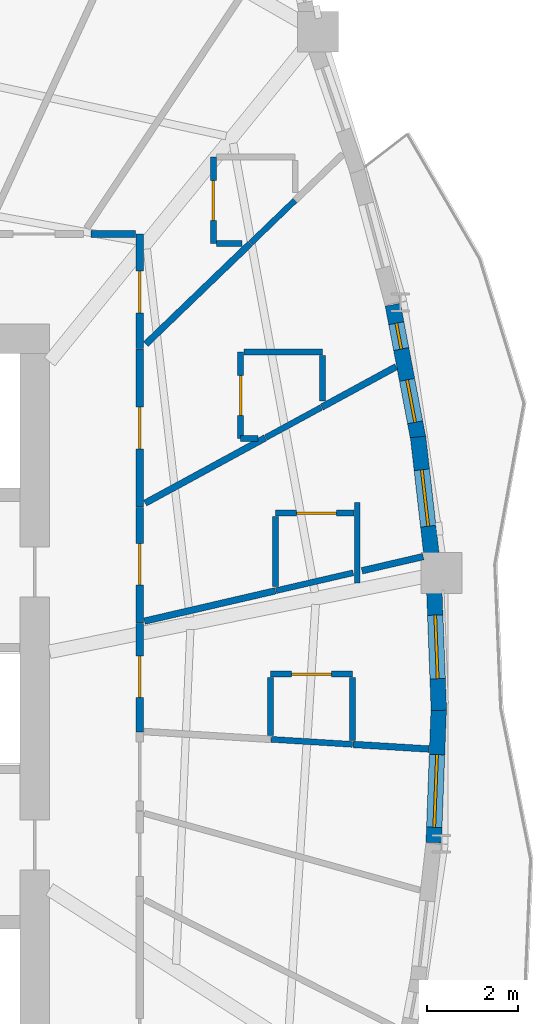
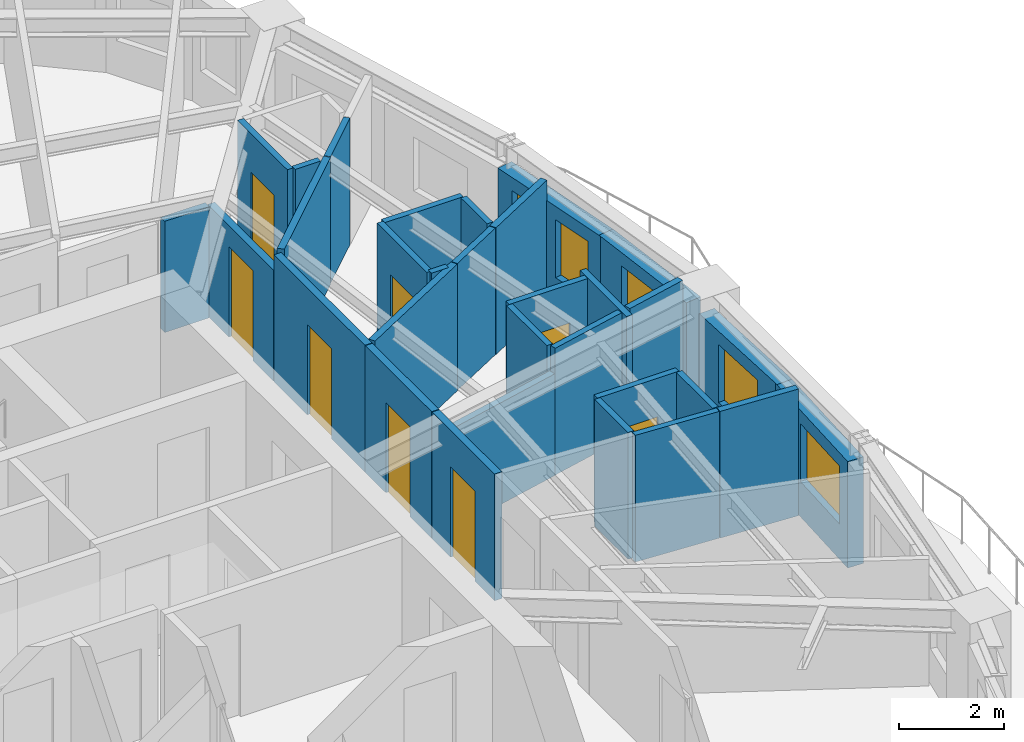
# One storey, part 10 of 17: 31 walls, 8 doors, 5 windows, 13 openings.
"""IFC4 building model written with IfcOpenShell, lengths in metres."""

from ifc_helpers import new_model, si_unit, direction, frame, frame_2d, origin, place, context, subcontext, project, spatial, rectangle, extrude, source, transform, mapped, material, layer, layer_set, type_object, element, fill, save


model = new_model("IFC4")

# Units and contexts
model_context = context("Model", 3, precision=1e-05, world=origin(), true_north=direction((0.0, 1.0)))
body_context = subcontext(model_context, "Body", "Model", "MODEL_VIEW")
ifc_project = project(units=[si_unit("LENGTHUNIT", "METRE"), si_unit("AREAUNIT", "SQUARE_METRE"), si_unit("VOLUMEUNIT", "CUBIC_METRE"), si_unit("PLANEANGLEUNIT", "RADIAN"), si_unit("MASSUNIT", "GRAM", prefix="KILO")], contexts=[model_context])

# Site, building, storey
site_placement = place(None, origin())
site = spatial("IfcSite", under=ifc_project, at=site_placement, CompositionType="ELEMENT")
building_placement = place(site_placement, origin())
building = spatial("IfcBuilding", under=site, at=building_placement, Name="Qafzar Sky-Pleat Residences", CompositionType="ELEMENT")
storey_placement = place(building_placement, frame((0.0, 0.0, 115.199951171875)))
storey = spatial("IfcBuildingStorey", under=building, at=storey_placement, Name="L34", CompositionType="ELEMENT", Elevation=115.199951171875)

# Wall, opening, door
ifc_material_1 = material(Name="Acoustic gypsum plasterboard partition", Category="gypsum")
ifc_layer_1 = layer(ifc_material_1, 0.159912109375)
ifc_layer_set_1 = layer_set([ifc_layer_1], Name="Acoustic gypsum plasterboard partition")
wall_type_1 = type_object("IfcWallType", Name="PART-COR-160", PredefinedType="PARTITIONING", material=ifc_layer_set_1)
wall_1_placement = place(storey_placement, frame((38.530029296875, 33.89892578125, 0.0), z_axis=(0.0, 0.0, 1.0), x_axis=(0.0, -1.0, 0.0)))
wall_1 = element("IfcWall", 1, at=wall_1_placement, inside=storey, type_object=wall_type_1, Name="L34 Partition Wall PART-L34-PW-007", PredefinedType="PARTITIONING", context=body_context, shape_type="SweptSolid", body=[
    extrude(rectangle(XDim=3.468994140625, YDim=0.159912109375, at=frame_2d((1.734375, 0.0))), origin(), (0.0, 0.0, 1.0), 2.949951171875),
])
opening_1_placement = place(wall_1_placement, frame((1.276611328125, 0.0, 0.0)))
opening_1 = element("IfcOpeningElement", 2, at=opening_1_placement, cuts=wall_1, Name="Opening ID-04", PredefinedType="OPENING", context=body_context, shape_type="SweptSolid", body=[
    extrude(rectangle(XDim=0.919921875, YDim=2.10009765625, at=frame_2d((0.4599609375, 1.050048828125))), frame((0.0, 0.08984375, 0.0), z_axis=(0.0, -1.0, 0.0), x_axis=(1.0, 0.0, 0.0)), (0.0, 0.0, 1.0), 0.179931640625),
])
ifc_material_2 = material(Name="Timber-faced fire door", Category="wood")
door_type_1 = type_object("IfcDoorType", Name="DR-BED-920", OperationType="NOTDEFINED", PredefinedType="DOOR", material=ifc_material_2)
shared_shape_1 = source(origin(), body_context, "Body", "SweptSolid", [
    extrude(rectangle(XDim=0.919921875, YDim=2.10009765625, at=frame_2d((0.4599609375, 1.050048828125))), frame((0.0, 0.02490234375, 0.0), z_axis=(0.0, -1.0, 0.0), x_axis=(1.0, 0.0, 0.0)), (0.0, 0.0, 1.0), 0.050048828125),
])
door_1_placement = place(opening_1_placement, origin())
door_1 = element("IfcDoor", 3, at=door_1_placement, inside=storey, type_object=door_type_1, Name="L34 Co-Living Bedroom 12 Door", OperationType="SINGLE_SWING_RIGHT", OverallHeight=2.10009765625, OverallWidth=0.919921875, PredefinedType="DOOR", context=body_context, shape_type="MappedRepresentation", body=[
    mapped(shared_shape_1, transform((0.0, 0.0, 0.0), x_axis=(1.0, 0.0, 0.0), y_axis=(0.0, 1.0, 0.0), z_axis=(0.0, 0.0, 1.0), scale=1.0)),
])
fill(opening_1, door_1)

wall_2_placement = place(storey_placement, frame((38.530029296875, 30.4150390625, 0.0), z_axis=(0.0, 0.0, 1.0), x_axis=(0.0, -1.0, 0.0)))
wall_2 = element("IfcWall", 4, at=wall_2_placement, inside=storey, type_object=wall_type_1, Name="L34 Partition Wall PART-L34-PW-011", PredefinedType="PARTITIONING", context=body_context, shape_type="SweptSolid", body=[
    extrude(rectangle(XDim=2.5361328125, YDim=0.159912109375, at=frame_2d((1.26806640625, 0.0))), origin(), (0.0, 0.0, 1.0), 2.949951171875),
])
opening_2_placement = place(wall_2_placement, frame((0.784423828125, 0.0, 0.0)))
opening_2 = element("IfcOpeningElement", 5, at=opening_2_placement, cuts=wall_2, Name="Opening ID-04", PredefinedType="OPENING", context=body_context, shape_type="SweptSolid", body=[
    extrude(rectangle(XDim=0.919921875, YDim=2.10009765625, at=frame_2d((0.4599609375, 1.050048828125))), frame((0.0, 0.08984375, 0.0), z_axis=(0.0, -1.0, 0.0), x_axis=(1.0, 0.0, 0.0)), (0.0, 0.0, 1.0), 0.179931640625),
])
door_2_placement = place(opening_2_placement, origin())
door_2 = element("IfcDoor", 6, at=door_2_placement, inside=storey, type_object=door_type_1, Name="L34 Co-Living Bedroom 9 Door", OperationType="SINGLE_SWING_LEFT", OverallHeight=2.10009765625, OverallWidth=0.919921875, PredefinedType="DOOR", context=body_context, shape_type="MappedRepresentation", body=[
    mapped(shared_shape_1, transform((0.0, 0.0, 0.0), x_axis=(1.0, 0.0, 0.0), y_axis=(0.0, 1.0, 0.0), z_axis=(0.0, 0.0, 1.0), scale=1.0)),
])
fill(opening_2, door_2)

wall_3_placement = place(storey_placement, frame((38.530029296875, 36.429931640625, 0.0), z_axis=(0.0, 0.0, 1.0), x_axis=(0.0, -1.0, 0.0)))
wall_3 = element("IfcWall", 7, at=wall_3_placement, inside=storey, type_object=wall_type_1, Name="L34 Partition Wall PART-L34-PW-012", PredefinedType="PARTITIONING", context=body_context, shape_type="SweptSolid", body=[
    extrude(rectangle(XDim=2.515869140625, YDim=0.159912109375, at=frame_2d((1.2578125, 0.0))), origin(), (0.0, 0.0, 1.0), 2.588134765625),
])
opening_3_placement = place(wall_3_placement, frame((0.81591796875, 0.0, 0.0)))
opening_3 = element("IfcOpeningElement", 8, at=opening_3_placement, cuts=wall_3, Name="Opening ID-04", PredefinedType="OPENING", context=body_context, shape_type="SweptSolid", body=[
    extrude(rectangle(XDim=0.919921875, YDim=2.10009765625, at=frame_2d((0.4599609375, 1.050048828125))), frame((0.0, 0.08984375, 0.0), z_axis=(0.0, -1.0, 0.0), x_axis=(1.0, 0.0, 0.0)), (0.0, 0.0, 1.0), 0.179931640625),
])
door_3_placement = place(opening_3_placement, origin())
door_3 = element("IfcDoor", 9, at=door_3_placement, inside=storey, type_object=door_type_1, Name="L34 Co-Living Bedroom 11 Door", OperationType="SINGLE_SWING_RIGHT", OverallHeight=2.10009765625, OverallWidth=0.919921875, PredefinedType="DOOR", context=body_context, shape_type="MappedRepresentation", body=[
    mapped(shared_shape_1, transform((0.0, 0.0, 0.0), x_axis=(1.0, 0.0, 0.0), y_axis=(0.0, 1.0, 0.0), z_axis=(0.0, 0.0, 1.0), scale=1.0)),
])
fill(opening_3, door_3)

wall_4_placement = place(storey_placement, frame((38.530029296875, 27.864013671875, 0.0), z_axis=(0.0, 0.0, 1.0), x_axis=(0.0, -1.0, 0.0)))
wall_4 = element("IfcWall", 10, at=wall_4_placement, inside=storey, type_object=wall_type_1, Name="L34 Partition Wall PART-L34-PW-014", PredefinedType="PARTITIONING", context=body_context, shape_type="SweptSolid", body=[
    extrude(rectangle(XDim=2.381103515625, YDim=0.159912109375, at=frame_2d((1.1904296875, 0.0))), origin(), (0.0, 0.0, 1.0), 2.949951171875),
])
opening_4_placement = place(wall_4_placement, frame((0.7080078125, 0.0, 0.0)))
opening_4 = element("IfcOpeningElement", 11, at=opening_4_placement, cuts=wall_4, Name="Opening ID-04", PredefinedType="OPENING", context=body_context, shape_type="SweptSolid", body=[
    extrude(rectangle(XDim=0.919921875, YDim=2.10009765625, at=frame_2d((0.4599609375, 1.050048828125))), frame((0.0, 0.08984375, 0.0), z_axis=(0.0, -1.0, 0.0), x_axis=(1.0, 0.0, 0.0)), (0.0, 0.0, 1.0), 0.179931640625),
])
door_4_placement = place(opening_4_placement, origin())
door_4 = element("IfcDoor", 12, at=door_4_placement, inside=storey, type_object=door_type_1, Name="L34 Co-Living Bedroom 10 Door", OperationType="SINGLE_SWING_RIGHT", OverallHeight=2.10009765625, OverallWidth=0.919921875, PredefinedType="DOOR", context=body_context, shape_type="MappedRepresentation", body=[
    mapped(shared_shape_1, transform((0.0, 0.0, 0.0), x_axis=(1.0, 0.0, 0.0), y_axis=(0.0, 1.0, 0.0), z_axis=(0.0, 0.0, 1.0), scale=1.0)),
])
fill(opening_4, door_4)

# Walls
wall_5_placement = place(storey_placement, frame((37.463134765625, 36.429931640625, 0.0), z_axis=(0.0, 0.0, 1.0), x_axis=(1.0, 0.0, 0.0)))
element("IfcWall", 13, at=wall_5_placement, inside=storey, type_object=wall_type_1, Name="L34 Partition Wall PART-L34-PW-081", PredefinedType="PARTITIONING", context=body_context, shape_type="SweptSolid", body=[
    extrude(rectangle(XDim=0.978759765625, YDim=0.159912109375, at=frame_2d((0.4892578125, 0.0))), origin(), (0.0, 0.0, 1.0), 2.588134765625),
])
ifc_layer_2 = layer(ifc_material_1, 0.14501953125)
ifc_layer_set_2 = layer_set([ifc_layer_2], Name="Acoustic gypsum plasterboard partition")
wall_type_2 = type_object("IfcWallType", Name="PART-UNIT-145", PredefinedType="PARTITIONING", material=ifc_layer_set_2)
wall_6_placement = place(storey_placement, frame((38.666015625, 34.009033203125, 0.0), z_axis=(0.0, 0.0, 1.0), x_axis=(0.72031454127, 0.693647577402, 0.0)))
element("IfcWall", 14, at=wall_6_placement, inside=storey, type_object=wall_type_2, Name="L34 Partition Wall PART-L34-PW-047", PredefinedType="PARTITIONING", context=body_context, shape_type="SweptSolid", body=[
    extrude(rectangle(XDim=3.18603515625, YDim=0.14501953125, at=frame_2d((1.593017578125, 0.0))), origin(), (0.0, 0.0, 1.0), 2.949951171875),
])
wall_7_placement = place(storey_placement, frame((38.651611328125, 30.51318359375, 0.0), z_axis=(0.0, 0.0, 1.0), x_axis=(0.878637115469, 0.47749012484, 0.0)))
element("IfcWall", 15, at=wall_7_placement, inside=storey, type_object=wall_type_2, Name="L34 Partition Wall PART-L34-PW-048", PredefinedType="PARTITIONING", context=body_context, shape_type="SweptSolid", body=[
    extrude(rectangle(XDim=3.0029296875, YDim=0.14501953125, at=frame_2d((1.50146484375, 0.0))), origin(), (0.0, 0.0, 1.0), 2.949951171875),
])
wall_8_placement = place(storey_placement, frame((38.63427734375, 27.918212890625, 0.0), z_axis=(0.0, 0.0, 1.0), x_axis=(0.974209851619, 0.225643889812, 0.0)))
element("IfcWall", 16, at=wall_8_placement, inside=storey, type_object=wall_type_2, Name="L34 Partition Wall PART-L34-PW-049", PredefinedType="PARTITIONING", context=body_context, shape_type="SweptSolid", body=[
    extrude(rectangle(XDim=2.954833984375, YDim=0.14501953125, at=frame_2d((1.4775390625, 0.0))), origin(), (0.0, 0.0, 1.0), 2.3681640625),
])
wall_9_placement = place(storey_placement, frame((42.534912109375, 32.6240234375, 0.0), z_axis=(0.0, 0.0, 1.0), x_axis=(0.878631690287, 0.477500107669, 0.0)))
element("IfcWall", 17, at=wall_9_placement, inside=storey, type_object=wall_type_2, Name="L34 Partition Wall PART-L34-PW-057", PredefinedType="PARTITIONING", context=body_context, shape_type="SweptSolid", body=[
    extrude(rectangle(XDim=1.860595703125, YDim=0.14501953125, at=frame_2d((0.93017578125, 0.0))), origin(), (0.0, 0.0, 1.0), 2.949951171875),
])
wall_10_placement = place(storey_placement, frame((43.221923828125, 25.208984375, 0.0), z_axis=(0.0, 0.0, 1.0), x_axis=(0.99814842403, -0.060825353328, 0.0)))
element("IfcWall", 18, at=wall_10_placement, inside=storey, type_object=wall_type_2, Name="L34 Partition Wall PART-L34-PW-067", PredefinedType="PARTITIONING", context=body_context, shape_type="SweptSolid", body=[
    extrude(rectangle(XDim=1.673828125, YDim=0.14501953125, at=frame_2d((0.8369140625, 0.0))), origin(), (0.0, 0.0, 1.0), 2.949951171875),
])
wall_11_placement = place(storey_placement, frame((43.416748046875, 29.026123046875, 0.0), z_axis=(0.0, 0.0, 1.0), x_axis=(0.974194367241, 0.225710732657, 0.0)))
element("IfcWall", 19, at=wall_11_placement, inside=storey, type_object=wall_type_2, Name="L34 Partition Wall PART-L34-PW-072", PredefinedType="PARTITIONING", context=body_context, shape_type="SweptSolid", body=[
    extrude(rectangle(XDim=1.38232421875, YDim=0.14501953125, at=frame_2d((0.691162109375, 0.0))), origin(), (0.0, 0.0, 1.0), 2.949951171875),
])

# Wall, opening, door
ifc_material_3 = material(Name="Moisture-resistant gypsum partition", Category="gypsum")
ifc_layer_3 = layer(ifc_material_3, 0.1298828125)
ifc_layer_set_3 = layer_set([ifc_layer_3], Name="Moisture-resistant gypsum partition")
wall_type_3 = type_object("IfcWallType", Name="PART-WET-130", PredefinedType="PARTITIONING", material=ifc_layer_set_3)
wall_12_placement = place(storey_placement, frame((40.75, 33.83203125, 0.0), z_axis=(0.0, 0.0, 1.0), x_axis=(0.0, -1.0, 0.0)))
wall_12 = element("IfcWall", 20, at=wall_12_placement, inside=storey, type_object=wall_type_3, Name="L34 Partition Wall PART-L34-PW-019", PredefinedType="PARTITIONING", context=body_context, shape_type="SweptSolid", body=[
    extrude(rectangle(XDim=1.900146484375, YDim=0.1298828125, at=frame_2d((0.9501953125, 0.0))), origin(), (0.0, 0.0, 1.0), 2.949951171875),
])
opening_5_placement = place(wall_12_placement, frame((0.510009765625, 0.0, 0.0)))
opening_5 = element("IfcOpeningElement", 21, at=opening_5_placement, cuts=wall_12, Name="Opening ID-07", PredefinedType="OPENING", context=body_context, shape_type="SweptSolid", body=[
    extrude(rectangle(XDim=0.8798828125, YDim=2.050048828125, at=frame_2d((0.43994140625, 1.02490234375))), frame((0.0, 0.074951171875, 0.0), z_axis=(0.0, -1.0, 0.0), x_axis=(1.0, 0.0, 0.0)), (0.0, 0.0, 1.0), 0.14990234375),
])
door_type_2 = type_object("IfcDoorType", Name="DR-WET-880", OperationType="NOTDEFINED", PredefinedType="DOOR", material=ifc_material_2)
shared_shape_2 = source(origin(), body_context, "Body", "SweptSolid", [
    extrude(rectangle(XDim=0.8798828125, YDim=2.050048828125, at=frame_2d((0.43994140625, 1.02490234375))), frame((0.0, 0.02490234375, 0.0), z_axis=(0.0, -1.0, 0.0), x_axis=(1.0, 0.0, 0.0)), (0.0, 0.0, 1.0), 0.050048828125),
])
door_5_placement = place(opening_5_placement, origin())
door_5 = element("IfcDoor", 22, at=door_5_placement, inside=storey, type_object=door_type_2, Name="L34 En-suite Bathroom 12 Door", OperationType="SINGLE_SWING_RIGHT", OverallHeight=2.050048828125, OverallWidth=0.8798828125, PredefinedType="DOOR", context=body_context, shape_type="MappedRepresentation", body=[
    mapped(shared_shape_2, transform((0.0, 0.0, 0.0), x_axis=(1.0, 0.0, 0.0), y_axis=(0.0, 1.0, 0.0), z_axis=(0.0, 0.0, 1.0), scale=1.0)),
])
fill(opening_5, door_5)

wall_13_placement = place(storey_placement, frame((40.15087890625, 38.118896484375, 0.0), z_axis=(0.0, 0.0, 1.0), x_axis=(0.0, -1.0, 0.0)))
wall_13 = element("IfcWall", 23, at=wall_13_placement, inside=storey, type_object=wall_type_3, Name="L34 Partition Wall PART-L34-PW-024", PredefinedType="PARTITIONING", context=body_context, shape_type="SweptSolid", body=[
    extrude(rectangle(XDim=1.89990234375, YDim=0.1298828125, at=frame_2d((0.949951171875, 0.0))), origin(), (0.0, 0.0, 1.0), 2.949951171875),
])
opening_6_placement = place(wall_13_placement, frame((0.510009765625, 0.0, 0.0)))
opening_6 = element("IfcOpeningElement", 24, at=opening_6_placement, cuts=wall_13, Name="Opening ID-07", PredefinedType="OPENING", context=body_context, shape_type="SweptSolid", body=[
    extrude(rectangle(XDim=0.8798828125, YDim=2.050048828125, at=frame_2d((0.43994140625, 1.02490234375))), frame((0.0, 0.074951171875, 0.0), z_axis=(0.0, -1.0, 0.0), x_axis=(1.0, 0.0, 0.0)), (0.0, 0.0, 1.0), 0.14990234375),
])
door_6_placement = place(opening_6_placement, origin())
door_6 = element("IfcDoor", 25, at=door_6_placement, inside=storey, type_object=door_type_2, Name="L34 En-suite Bathroom 11 Door", OperationType="SINGLE_SWING_LEFT", OverallHeight=2.050048828125, OverallWidth=0.8798828125, PredefinedType="DOOR", context=body_context, shape_type="MappedRepresentation", body=[
    mapped(shared_shape_2, transform((0.0, 0.0, 0.0), x_axis=(1.0, 0.0, 0.0), y_axis=(0.0, 1.0, 0.0), z_axis=(0.0, 0.0, 1.0), scale=1.0)),
])
fill(opening_6, door_6)

wall_14_placement = place(storey_placement, frame((43.239990234375, 30.2919921875, 0.0), z_axis=(0.0, 0.0, 1.0), x_axis=(-1.0, 0.0, 0.0)))
wall_14 = element("IfcWall", 26, at=wall_14_placement, inside=storey, type_object=wall_type_3, Name="L34 Partition Wall PART-L34-PW-026", PredefinedType="PARTITIONING", context=body_context, shape_type="SweptSolid", body=[
    extrude(rectangle(XDim=1.72705078125, YDim=0.1298828125, at=frame_2d((0.863525390625, 0.0))), origin(), (0.0, 0.0, 1.0), 2.949951171875),
])
opening_7_placement = place(wall_14_placement, frame((0.386962890625, 0.0, 0.0)))
opening_7 = element("IfcOpeningElement", 27, at=opening_7_placement, cuts=wall_14, Name="Opening ID-07", PredefinedType="OPENING", context=body_context, shape_type="SweptSolid", body=[
    extrude(rectangle(XDim=0.8798828125, YDim=2.050048828125, at=frame_2d((0.43994140625, 1.02490234375))), frame((0.0, 0.074951171875, 0.0), z_axis=(0.0, -1.0, 0.0), x_axis=(1.0, 0.0, 0.0)), (0.0, 0.0, 1.0), 0.14990234375),
])
door_7_placement = place(opening_7_placement, origin())
door_7 = element("IfcDoor", 28, at=door_7_placement, inside=storey, type_object=door_type_2, Name="L34 En-suite Bathroom 9 Door", OperationType="SINGLE_SWING_LEFT", OverallHeight=2.050048828125, OverallWidth=0.8798828125, PredefinedType="DOOR", context=body_context, shape_type="MappedRepresentation", body=[
    mapped(shared_shape_2, transform((0.0, 0.0, 0.0), x_axis=(1.0, 0.0, 0.0), y_axis=(0.0, 1.0, 0.0), z_axis=(0.0, 0.0, 1.0), scale=1.0)),
])
fill(opening_7, door_7)

wall_15_placement = place(storey_placement, frame((43.20703125, 26.7529296875, 0.0), z_axis=(0.0, 0.0, 1.0), x_axis=(-1.0, 0.0, 0.0)))
wall_15 = element("IfcWall", 29, at=wall_15_placement, inside=storey, type_object=wall_type_3, Name="L34 Partition Wall PART-L34-PW-027", PredefinedType="PARTITIONING", context=body_context, shape_type="SweptSolid", body=[
    extrude(rectangle(XDim=1.800048828125, YDim=0.1298828125, at=frame_2d((0.89990234375, 0.0))), origin(), (0.0, 0.0, 1.0), 2.949951171875),
])
opening_8_placement = place(wall_15_placement, frame((0.4599609375, 0.0, 0.0)))
opening_8 = element("IfcOpeningElement", 30, at=opening_8_placement, cuts=wall_15, Name="Opening ID-07", PredefinedType="OPENING", context=body_context, shape_type="SweptSolid", body=[
    extrude(rectangle(XDim=0.8798828125, YDim=2.050048828125, at=frame_2d((0.43994140625, 1.02490234375))), frame((0.0, 0.074951171875, 0.0), z_axis=(0.0, -1.0, 0.0), x_axis=(1.0, 0.0, 0.0)), (0.0, 0.0, 1.0), 0.14990234375),
])
door_8_placement = place(opening_8_placement, origin())
door_8 = element("IfcDoor", 31, at=door_8_placement, inside=storey, type_object=door_type_2, Name="L34 En-suite Bathroom 10 Door", OperationType="SINGLE_SWING_RIGHT", OverallHeight=2.050048828125, OverallWidth=0.8798828125, PredefinedType="DOOR", context=body_context, shape_type="MappedRepresentation", body=[
    mapped(shared_shape_2, transform((0.0, 0.0, 0.0), x_axis=(1.0, 0.0, 0.0), y_axis=(0.0, 1.0, 0.0), z_axis=(0.0, 0.0, 1.0), scale=1.0)),
])
fill(opening_8, door_8)

# Walls
wall_16_placement = place(storey_placement, frame((41.527587890625, 28.58837890625, 0.0), z_axis=(0.0, 0.0, 1.0), x_axis=(0.974206728247, 0.225657374437, 0.0)))
element("IfcWall", 32, at=wall_16_placement, inside=storey, type_object=wall_type_3, Name="L34 Partition Wall PART-L34-PW-058", PredefinedType="PARTITIONING", context=body_context, shape_type="SweptSolid", body=[
    extrude(rectangle(XDim=1.742919921875, YDim=0.1298828125, at=frame_2d((0.87158203125, 0.0))), origin(), (0.0, 0.0, 1.0), 2.949951171875),
])
wall_17_placement = place(storey_placement, frame((40.822998046875, 33.83203125, 0.0), z_axis=(0.0, 0.0, 1.0), x_axis=(1.0, 0.0, 0.0)))
element("IfcWall", 33, at=wall_17_placement, inside=storey, type_object=wall_type_3, Name="L34 Partition Wall PART-L34-PW-062", PredefinedType="PARTITIONING", context=body_context, shape_type="SweptSolid", body=[
    extrude(rectangle(XDim=1.72705078125, YDim=0.1298828125, at=frame_2d((0.863525390625, 0.0))), origin(), (0.0, 0.0, 1.0), 2.949951171875),
])
wall_18_placement = place(storey_placement, frame((41.422119140625, 25.320068359375, 0.0), z_axis=(0.0, 0.0, 1.0), x_axis=(0.998102716713, -0.061570828237, 0.0)))
element("IfcWall", 34, at=wall_18_placement, inside=storey, type_object=wall_type_3, Name="L34 Partition Wall PART-L34-PW-063", PredefinedType="PARTITIONING", context=body_context, shape_type="SweptSolid", body=[
    extrude(rectangle(XDim=1.788330078125, YDim=0.1298828125, at=frame_2d((0.89404296875, 0.0))), origin(), (0.0, 0.0, 1.0), 2.949951171875),
])
wall_19_placement = place(storey_placement, frame((41.512939453125, 28.6826171875, 0.0), z_axis=(0.0, 0.0, 1.0), x_axis=(0.0, 1.0, 0.0)))
element("IfcWall", 35, at=wall_19_placement, inside=storey, type_object=wall_type_3, Name="L34 Partition Wall PART-L34-PW-066", PredefinedType="PARTITIONING", context=body_context, shape_type="SweptSolid", body=[
    extrude(rectangle(XDim=1.536376953125, YDim=0.1298828125, at=frame_2d((0.76806640625, 0.0))), origin(), (0.0, 0.0, 1.0), 2.949951171875),
])
wall_20_placement = place(storey_placement, frame((43.20703125, 25.294677734375, 0.0), z_axis=(0.0, 0.0, 1.0), x_axis=(0.0, 1.0, 0.0)))
element("IfcWall", 36, at=wall_20_placement, inside=storey, type_object=wall_type_3, Name="L34 Partition Wall PART-L34-PW-071", PredefinedType="PARTITIONING", context=body_context, shape_type="SweptSolid", body=[
    extrude(rectangle(XDim=1.38525390625, YDim=0.1298828125, at=frame_2d((0.692626953125, 0.0))), origin(), (0.0, 0.0, 1.0), 2.949951171875),
])
wall_21_placement = place(storey_placement, frame((41.406982421875, 25.405517578125, 0.0), z_axis=(0.0, 0.0, 1.0), x_axis=(0.0, 1.0, 0.0)))
element("IfcWall", 37, at=wall_21_placement, inside=storey, type_object=wall_type_3, Name="L34 Partition Wall PART-L34-PW-074", PredefinedType="PARTITIONING", context=body_context, shape_type="SweptSolid", body=[
    extrude(rectangle(XDim=1.2744140625, YDim=0.1298828125, at=frame_2d((0.63720703125, 0.0))), origin(), (0.0, 0.0, 1.0), 2.949951171875),
])
wall_22_placement = place(storey_placement, frame((41.30322265625, 31.9541015625, 0.0), z_axis=(0.0, 0.0, 1.0), x_axis=(0.87855387187, 0.477643270885, 0.0)))
element("IfcWall", 38, at=wall_22_placement, inside=storey, type_object=wall_type_3, Name="L34 Partition Wall PART-L34-PW-075", PredefinedType="PARTITIONING", context=body_context, shape_type="SweptSolid", body=[
    extrude(rectangle(XDim=1.38720703125, YDim=0.1298828125, at=frame_2d((0.693603515625, 0.0))), origin(), (0.0, 0.0, 1.0), 2.949951171875),
])
wall_23_placement = place(storey_placement, frame((40.9716796875, 36.2294921875, 0.0), z_axis=(0.0, 0.0, 1.0), x_axis=(0.72014550452, 0.693823069896, 0.0)))
element("IfcWall", 39, at=wall_23_placement, inside=storey, type_object=wall_type_3, Name="L34 Partition Wall PART-L34-PW-077", PredefinedType="PARTITIONING", context=body_context, shape_type="SweptSolid", body=[
    extrude(rectangle(XDim=1.344970703125, YDim=0.1298828125, at=frame_2d((0.67236328125, 0.0))), origin(), (0.0, 0.0, 1.0), 2.949951171875),
])
wall_24_placement = place(storey_placement, frame((43.31298828125, 28.761962890625, 0.0), z_axis=(0.0, 0.0, 1.0), x_axis=(0.0, 1.0, 0.0)))
element("IfcWall", 40, at=wall_24_placement, inside=storey, type_object=wall_type_3, Name="L34 Partition Wall PART-L34-PW-079", PredefinedType="PARTITIONING", context=body_context, shape_type="SweptSolid", body=[
    extrude(rectangle(XDim=1.77001953125, YDim=0.1298828125, at=frame_2d((0.885009765625, 0.0))), origin(), (0.0, 0.0, 1.0), 2.949951171875),
])
wall_25_placement = place(storey_placement, frame((42.550048828125, 32.7578125, 0.0), z_axis=(0.0, 0.0, 1.0), x_axis=(0.0, 1.0, 0.0)))
element("IfcWall", 41, at=wall_25_placement, inside=storey, type_object=wall_type_3, Name="L34 Partition Wall PART-L34-PW-082", PredefinedType="PARTITIONING", context=body_context, shape_type="SweptSolid", body=[
    extrude(rectangle(XDim=1.001220703125, YDim=0.1298828125, at=frame_2d((0.50048828125, 0.0))), origin(), (0.0, 0.0, 1.0), 2.949951171875),
])
wall_26_placement = place(storey_placement, frame((40.22412109375, 36.218994140625, 0.0), z_axis=(0.0, 0.0, 1.0), x_axis=(1.0, 0.0, 0.0)))
element("IfcWall", 42, at=wall_26_placement, inside=storey, type_object=wall_type_3, Name="L34 Partition Wall PART-L34-PW-088", PredefinedType="PARTITIONING", context=body_context, shape_type="SweptSolid", body=[
    extrude(rectangle(XDim=0.556884765625, YDim=0.1298828125, at=frame_2d((0.2783203125, 0.0))), origin(), (0.0, 0.0, 1.0), 2.949951171875),
])
wall_27_placement = place(storey_placement, frame((40.75, 31.931884765625, 0.0), z_axis=(0.0, 0.0, 1.0), x_axis=(1.0, 0.0, 0.0)))
element("IfcWall", 43, at=wall_27_placement, inside=storey, type_object=wall_type_3, Name="L34 Partition Wall PART-L34-PW-091", PredefinedType="PARTITIONING", context=body_context, shape_type="SweptSolid", body=[
    extrude(rectangle(XDim=0.376953125, YDim=0.1298828125, at=frame_2d((0.1884765625, 0.0))), origin(), (0.0, 0.0, 1.0), 2.949951171875),
])

# Wall, opening, window
ifc_material_4 = material(Name="Precast concrete C40/50 with honed Riyadh limestone", Category="concrete")
ifc_layer_4 = layer(ifc_material_4, 0.340087890625)
ifc_layer_set_4 = layer_set([ifc_layer_4], Name="Precast concrete C40/50 with honed Riyadh limestone")
wall_type_4 = type_object("IfcWallType", Name="WALL-EXT-340", PredefinedType="SOLIDWALL", material=ifc_layer_set_4)
wall_28_placement = place(storey_placement, frame((44.994140625, 23.05126953125, 0.0), z_axis=(0.0, 0.0, 1.0), x_axis=(0.037982360438, 0.999278409802, 0.0)))
wall_28 = element("IfcWall", 44, at=wall_28_placement, inside=storey, type_object=wall_type_4, Name="L34 Limestone Facade Wall 27", PredefinedType="SOLIDWALL", context=body_context, shape_type="SweptSolid", body=[
    extrude(rectangle(XDim=2.995361328125, YDim=0.340087890625, at=frame_2d((1.49755859375, 0.0))), origin(), (0.0, 0.0, 1.0), 2.47998046875),
])
opening_9_placement = place(wall_28_placement, frame((0.3349609375, 0.0, 0.820068359375)))
opening_9 = element("IfcOpeningElement", 45, at=opening_9_placement, cuts=wall_28, Name="Opening WN-09", PredefinedType="OPENING", context=body_context, shape_type="SweptSolid", body=[
    extrude(rectangle(XDim=1.60009765625, YDim=1.35009765625, at=frame_2d((0.800048828125, 0.675048828125))), frame((0.0, 0.18017578125, 0.0), z_axis=(0.0, -1.0, 0.0), x_axis=(1.0, 0.0, 0.0)), (0.0, 0.0, 1.0), 0.360107421875),
])
ifc_material_5 = material(Name="Solar-control low-E glass in bronze aluminium frame", Category="glass")
window_type_1 = type_object("IfcWindowType", Name="WIN-09", PartitioningType="DOUBLE_PANEL_VERTICAL", PredefinedType="WINDOW", material=ifc_material_5)
shared_shape_3 = source(origin(), body_context, "Body", "SweptSolid", [
    extrude(rectangle(XDim=1.60009765625, YDim=1.35009765625, at=frame_2d((0.800048828125, 0.675048828125))), frame((0.0, 0.030029296875, 0.0), z_axis=(0.0, -1.0, 0.0), x_axis=(1.0, 0.0, 0.0)), (0.0, 0.0, 1.0), 0.06005859375),
])
window_1_placement = place(opening_9_placement, origin())
window_1 = element("IfcWindow", 46, at=window_1_placement, inside=storey, type_object=window_type_1, Name="L34 Punched Facade Window 27", OverallHeight=1.35009765625, OverallWidth=1.60009765625, PartitioningType="SINGLE_PANEL", PredefinedType="WINDOW", context=body_context, shape_type="MappedRepresentation", body=[
    mapped(shared_shape_3, transform((0.0, 0.0, 0.0), x_axis=(1.0, 0.0, 0.0), y_axis=(0.0, 1.0, 0.0), z_axis=(0.0, 0.0, 1.0), scale=1.0)),
])
fill(opening_9, window_1)

wall_29_placement = place(storey_placement, frame((45.10791015625, 25.95556640625, 0.0), z_axis=(0.0, 0.0, 1.0), x_axis=(-0.037955087732, 0.999279446059, 0.0)))
wall_29 = element("IfcWall", 47, at=wall_29_placement, inside=storey, type_object=wall_type_4, Name="L34 Limestone Facade Wall 28", PredefinedType="SOLIDWALL", context=body_context, shape_type="SweptSolid", body=[
    extrude(rectangle(XDim=2.78515625, YDim=0.340087890625, at=frame_2d((1.392578125, 0.0))), origin(), (0.0, 0.0, 1.0), 2.47998046875),
])
opening_10_placement = place(wall_29_placement, frame((0.697509765625, 0.0, 0.820068359375)))
opening_10 = element("IfcOpeningElement", 48, at=opening_10_placement, cuts=wall_29, Name="Opening WN-10", PredefinedType="OPENING", context=body_context, shape_type="SweptSolid", body=[
    extrude(rectangle(XDim=1.39990234375, YDim=1.35009765625, at=frame_2d((0.699951171875, 0.675048828125))), frame((0.0, 0.18017578125, 0.0), z_axis=(0.0, -1.0, 0.0), x_axis=(1.0, 0.0, 0.0)), (0.0, 0.0, 1.0), 0.360107421875),
])
window_type_2 = type_object("IfcWindowType", Name="WIN-10", PartitioningType="SINGLE_PANEL", PredefinedType="WINDOW", material=ifc_material_5)
shared_shape_4 = source(origin(), body_context, "Body", "SweptSolid", [
    extrude(rectangle(XDim=1.39990234375, YDim=1.35009765625, at=frame_2d((0.699951171875, 0.675048828125))), frame((0.0, 0.030029296875, 0.0), z_axis=(0.0, -1.0, 0.0), x_axis=(1.0, 0.0, 0.0)), (0.0, 0.0, 1.0), 0.06005859375),
])
window_2_placement = place(opening_10_placement, origin())
window_2 = element("IfcWindow", 49, at=window_2_placement, inside=storey, type_object=window_type_2, Name="L34 Punched Facade Window 28", OverallHeight=1.35009765625, OverallWidth=1.39990234375, PartitioningType="SINGLE_PANEL", PredefinedType="WINDOW", context=body_context, shape_type="MappedRepresentation", body=[
    mapped(shared_shape_4, transform((0.0, 0.0, 0.0), x_axis=(1.0, 0.0, 0.0), y_axis=(0.0, 1.0, 0.0), z_axis=(0.0, 0.0, 1.0), scale=1.0)),
])
fill(opening_10, window_2)

wall_30_placement = place(storey_placement, frame((44.96826171875, 29.184326171875, 0.0), z_axis=(0.0, 0.0, 1.0), x_axis=(-0.113251751131, 0.993566324342, 0.0)))
wall_30 = element("IfcWall", 50, at=wall_30_placement, inside=storey, type_object=wall_type_4, Name="L34 Limestone Facade Wall 29", PredefinedType="SOLIDWALL", context=body_context, shape_type="SweptSolid", body=[
    extrude(rectangle(XDim=2.802490234375, YDim=0.340087890625, at=frame_2d((1.4013671875, 0.0))), origin(), (0.0, 0.0, 1.0), 2.47998046875),
])
opening_11_placement = place(wall_30_placement, frame((0.82568359375, 0.0, 0.820068359375)))
opening_11 = element("IfcOpeningElement", 51, at=opening_11_placement, cuts=wall_30, Name="Opening WN-11", PredefinedType="OPENING", context=body_context, shape_type="SweptSolid", body=[
    extrude(rectangle(XDim=1.25, YDim=1.35009765625, at=frame_2d((0.625, 0.675048828125))), frame((0.0, 0.18017578125, 0.0), z_axis=(0.0, -1.0, 0.0), x_axis=(1.0, 0.0, 0.0)), (0.0, 0.0, 1.0), 0.360107421875),
])
window_type_3 = type_object("IfcWindowType", Name="WIN-11", PartitioningType="SINGLE_PANEL", PredefinedType="WINDOW", material=ifc_material_5)
shared_shape_5 = source(origin(), body_context, "Body", "SweptSolid", [
    extrude(rectangle(XDim=1.25, YDim=1.35009765625, at=frame_2d((0.625, 0.675048828125))), frame((0.0, 0.030029296875, 0.0), z_axis=(0.0, -1.0, 0.0), x_axis=(1.0, 0.0, 0.0)), (0.0, 0.0, 1.0), 0.06005859375),
])
window_3_placement = place(opening_11_placement, origin())
window_3 = element("IfcWindow", 52, at=window_3_placement, inside=storey, type_object=window_type_3, Name="L34 Punched Facade Window 29", OverallHeight=1.35009765625, OverallWidth=1.25, PartitioningType="SINGLE_PANEL", PredefinedType="WINDOW", context=body_context, shape_type="MappedRepresentation", body=[
    mapped(shared_shape_5, transform((0.0, 0.0, 0.0), x_axis=(1.0, 0.0, 0.0), y_axis=(0.0, 1.0, 0.0), z_axis=(0.0, 0.0, 1.0), scale=1.0)),
])
fill(opening_11, window_3)

# Wall, openings, windows
wall_31_placement = place(storey_placement, frame((44.664306640625, 31.881103515625, 0.0), z_axis=(0.0, 0.0, 1.0), x_axis=(-0.18665909876, 0.982424745642, 0.0)))
wall_31 = element("IfcWall", 53, at=wall_31_placement, inside=storey, type_object=wall_type_4, Name="L34 Limestone Facade Wall 30", PredefinedType="SOLIDWALL", context=body_context, shape_type="SweptSolid", body=[
    extrude(rectangle(XDim=3.046142578125, YDim=0.340087890625, at=frame_2d((1.52294921875, 0.0))), origin(), (0.0, 0.0, 1.0), 2.47998046875),
])
opening_12_placement = place(wall_31_placement, frame((0.416015625, 0.0, 0.820068359375)))
opening_12 = element("IfcOpeningElement", 54, at=opening_12_placement, cuts=wall_31, Name="Opening WN-12", PredefinedType="OPENING", context=body_context, shape_type="SweptSolid", body=[
    extrude(rectangle(XDim=0.949951171875, YDim=1.35009765625, at=frame_2d((0.47509765625, 0.675048828125))), frame((0.0, 0.18017578125, 0.0), z_axis=(0.0, -1.0, 0.0), x_axis=(1.0, 0.0, 0.0)), (0.0, 0.0, 1.0), 0.360107421875),
])
opening_13_placement = place(wall_31_placement, frame((2.05419921875, 0.0, 0.820068359375)))
opening_13 = element("IfcOpeningElement", 55, at=opening_13_placement, cuts=wall_31, Name="Opening WN-17", PredefinedType="OPENING", context=body_context, shape_type="SweptSolid", body=[
    extrude(rectangle(XDim=0.580078125, YDim=1.35009765625, at=frame_2d((0.2900390625, 0.675048828125))), frame((0.0, 0.18017578125, 0.0), z_axis=(0.0, -1.0, 0.0), x_axis=(1.0, 0.0, 0.0)), (0.0, 0.0, 1.0), 0.360107421875),
])
window_type_4 = type_object("IfcWindowType", Name="WIN-12", PartitioningType="SINGLE_PANEL", PredefinedType="WINDOW", material=ifc_material_5)
shared_shape_6 = source(origin(), body_context, "Body", "SweptSolid", [
    extrude(rectangle(XDim=0.949951171875, YDim=1.35009765625, at=frame_2d((0.47509765625, 0.675048828125))), frame((0.0, 0.030029296875, 0.0), z_axis=(0.0, -1.0, 0.0), x_axis=(1.0, 0.0, 0.0)), (0.0, 0.0, 1.0), 0.06005859375),
])
window_4_placement = place(opening_12_placement, origin())
window_4 = element("IfcWindow", 56, at=window_4_placement, inside=storey, type_object=window_type_4, Name="L34 Punched Facade Window 30", OverallHeight=1.35009765625, OverallWidth=0.949951171875, PartitioningType="SINGLE_PANEL", PredefinedType="WINDOW", context=body_context, shape_type="MappedRepresentation", body=[
    mapped(shared_shape_6, transform((0.0, 0.0, 0.0), x_axis=(1.0, 0.0, 0.0), y_axis=(0.0, 1.0, 0.0), z_axis=(0.0, 0.0, 1.0), scale=1.0)),
])
fill(opening_12, window_4)
window_type_5 = type_object("IfcWindowType", Name="WIN-17", PartitioningType="SINGLE_PANEL", PredefinedType="WINDOW", material=ifc_material_5)
shared_shape_7 = source(origin(), body_context, "Body", "SweptSolid", [
    extrude(rectangle(XDim=0.580078125, YDim=1.35009765625, at=frame_2d((0.2900390625, 0.675048828125))), frame((0.0, 0.030029296875, 0.0), z_axis=(0.0, -1.0, 0.0), x_axis=(1.0, 0.0, 0.0)), (0.0, 0.0, 1.0), 0.06005859375),
])
window_5_placement = place(opening_13_placement, origin())
window_5 = element("IfcWindow", 57, at=window_5_placement, inside=storey, type_object=window_type_5, Name="L34 Punched Facade Window 30-2", OverallHeight=1.35009765625, OverallWidth=0.580078125, PartitioningType="SINGLE_PANEL", PredefinedType="WINDOW", context=body_context, shape_type="MappedRepresentation", body=[
    mapped(shared_shape_7, transform((0.0, 0.0, 0.0), x_axis=(1.0, 0.0, 0.0), y_axis=(0.0, 1.0, 0.0), z_axis=(0.0, 0.0, 1.0), scale=1.0)),
])
fill(opening_13, window_5)

save(model, "model.ifc")
